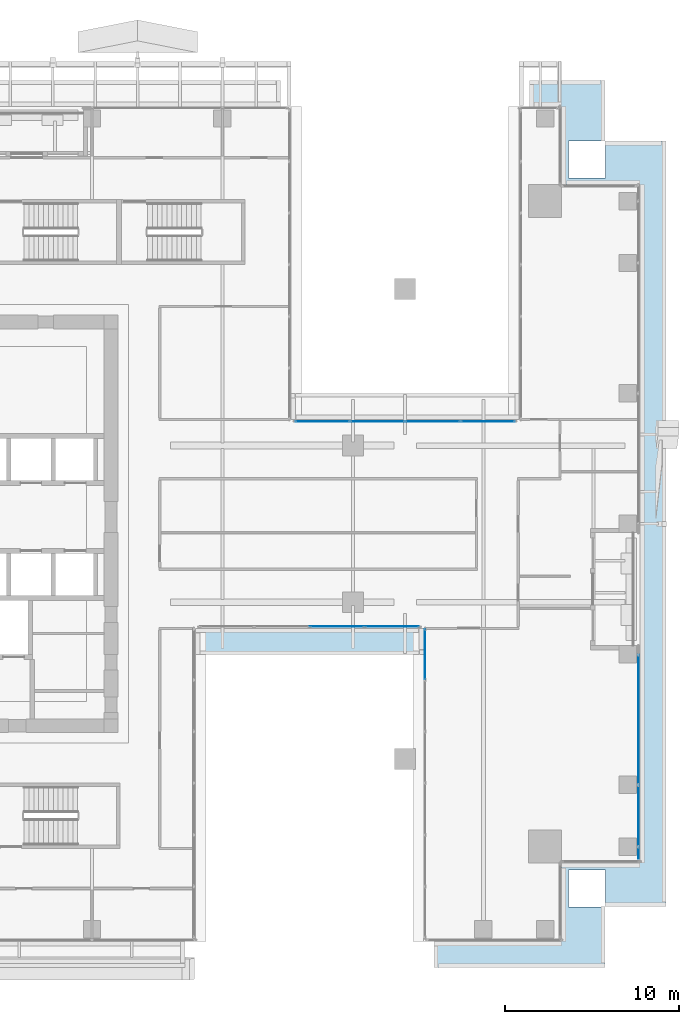
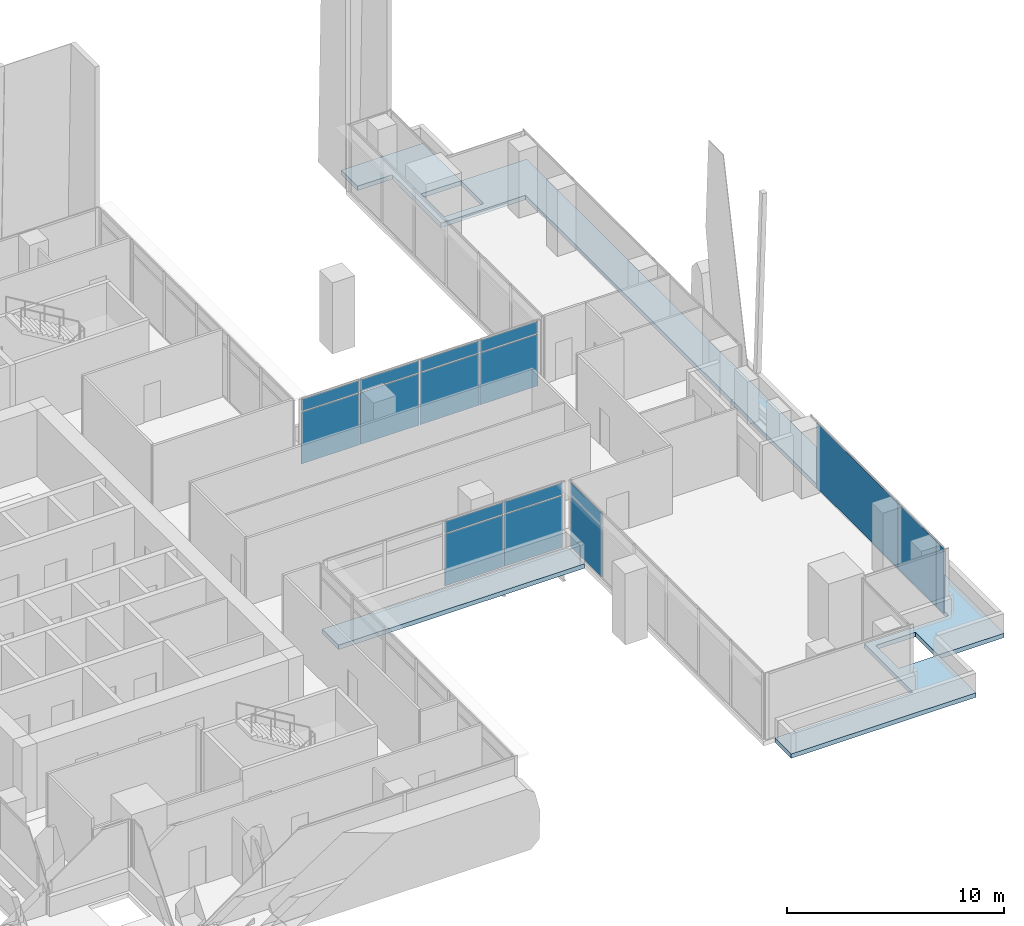
# One storey, part 30 of 43: 17 plates, 2 slabs, 4 elements without a shape of their own.
"""IFC4 building model written with IfcOpenShell, lengths in metres."""

from ifc_helpers import new_model, si_unit, direction, frame, origin, origin_2d, place, context, subcontext, project, spatial, polyline, rectangle, outline, extrude, source, transform, mapped, material, layer, layer_set, type_object, element, aggregate, save


model = new_model("IFC4")

# Units and contexts
model_context = context("Model", 3, precision=1e-05, world=origin(), true_north=direction((0.0, 1.0)))
body_context = subcontext(model_context, "Body", "Model", "MODEL_VIEW")
ifc_project = project(units=[si_unit("LENGTHUNIT", "METRE"), si_unit("AREAUNIT", "SQUARE_METRE"), si_unit("VOLUMEUNIT", "CUBIC_METRE"), si_unit("PLANEANGLEUNIT", "RADIAN"), si_unit("MASSUNIT", "GRAM", prefix="KILO")], contexts=[model_context])

# Site, building, storey
site_placement = place(None, origin())
site = spatial("IfcSite", under=ifc_project, at=site_placement, CompositionType="ELEMENT")
building_placement = place(site_placement, origin())
building = spatial("IfcBuilding", under=site, at=building_placement, Name="Khomas Fold Tower", CompositionType="ELEMENT")
storey_placement = place(building_placement, frame((0.0, 0.0, 164.699951171875)))
storey = spatial("IfcBuildingStorey", under=building, at=storey_placement, Name="L35", CompositionType="ELEMENT", Elevation=164.699951171875)

# Slabs
ifc_material_1 = material(Name="Concrete C40/50", Category="concrete")
ifc_layer_1 = layer(ifc_material_1, 0.25)
ifc_layer_set_1 = layer_set([ifc_layer_1], Name="Concrete C40/50")
slab_type = type_object("IfcSlabType", Name="RC roof slab 250", PredefinedType="ROOF", material=ifc_layer_set_1)
shared_shape_1 = source(origin(), body_context, "Body", "SweptSolid", [
    extrude(outline(polyline([(25.449951171875, 19.5), (38.550048828125, 19.5), (38.550048828125, 21.0), (25.449951171875, 21.0), (25.449951171875, 19.5)])), origin(), (0.0, 0.0, 1.0), 0.25),
])
slab_1_placement = place(storey_placement, frame((0.0, 0.0, -0.25)))
element("IfcSlab", 1, at=slab_1_placement, inside=storey, type_object=slab_type, Name="Setback roof slab", PredefinedType="ROOF", context=body_context, shape_type="MappedRepresentation", body=[
    mapped(shared_shape_1, transform((0.0, 0.0, 0.0))),
])
shared_shape_2 = source(origin(), body_context, "Body", "SweptSolid", [
    extrude(outline(polyline([(39.14990234375, 1.5), (49.0, 1.5), (49.0, 4.9951171875), (46.89501953125, 4.9951171875), (46.89501953125, 7.10498046875), (49.0048828125, 7.10498046875), (49.0048828125, 5.0), (52.5, 5.0), (52.5, 49.0), (49.0048828125, 49.0), (49.0048828125, 46.89501953125), (46.89501953125, 46.89501953125), (46.89501953125, 49.0048828125), (49.0, 49.0048828125), (49.0, 52.5), (44.64990234375, 52.5), (44.64990234375, 51.0), (46.5, 51.0), (46.5, 46.5), (51.0, 46.5), (51.0, 7.5), (46.5, 7.5), (46.5, 3.0), (39.14990234375, 3.0), (39.14990234375, 1.5)])), origin(), (0.0, 0.0, 1.0), 0.25),
])
slab_2_placement = place(storey_placement, frame((0.0, 0.0, -0.25)))
element("IfcSlab", 2, at=slab_2_placement, inside=storey, type_object=slab_type, Name="Setback roof slab", PredefinedType="ROOF", context=body_context, shape_type="MappedRepresentation", body=[
    mapped(shared_shape_2, transform((0.0, 0.0, 0.0))),
])

# Curtain wall, plates
ifc_material_2 = material(Name="Aluminium framed double glazing", Category="aluminium")
curtain_wall_type_1 = type_object("IfcCurtainWallType", Name="SK-Unitised clear-glass wall, office floors CW2", PredefinedType="NOTDEFINED", material=ifc_material_2)
curtain_wall_1_placement = place(storey_placement, origin())
curtain_wall_1 = element("IfcCurtainWall", 3, at=curtain_wall_1_placement, inside=storey, type_object=curtain_wall_type_1, Name="CW2 run L35 08-0", PredefinedType="NOTDEFINED")
ifc_material_3 = material(Name="Clear double glazed unit")
ifc_layer_2 = layer(ifc_material_3, 0.030029296875)
ifc_layer_set_2 = layer_set([ifc_layer_2], Name="Clear double glazed unit")
plate_type_1 = type_object("IfcPlateType", Name="SK-Unitised clear-glass wall, office floors glass panel CW2-P", PredefinedType="CURTAIN_PANEL", material=ifc_layer_set_2)
shared_shape_3 = source(origin(), body_context, "Body", "SweptSolid", [
    extrude(rectangle(XDim=0.659912109375, YDim=0.030029296875, at=origin_2d()), origin(), (0.0, 0.0, 1.0), 3.639892578125),
])
plate_1_placement = place(storey_placement, frame((50.89990234375, 8.090087890625, 0.0), z_axis=(0.0, 0.0, 1.0), x_axis=(0.0, 1.0, 0.0)))
plate_1 = element("IfcPlate", 4, at=plate_1_placement, type_object=plate_type_1, Name="CW2 glass panel 1", PredefinedType="CURTAIN_PANEL", context=body_context, shape_type="MappedRepresentation", body=[
    mapped(shared_shape_3, transform((0.0, 0.0, 0.0))),
])
shared_shape_4 = source(origin(), body_context, "Body", "SweptSolid", [
    extrude(rectangle(XDim=3.489990234375, YDim=0.030029296875, at=origin_2d()), origin(), (0.0, 0.0, 1.0), 3.639892578125),
])
plate_2_placement = place(storey_placement, frame((50.89990234375, 10.22509765625, 0.0), z_axis=(0.0, 0.0, 1.0), x_axis=(0.0, 1.0, 0.0)))
plate_2 = element("IfcPlate", 5, at=plate_2_placement, type_object=plate_type_1, Name="CW2 glass panel 2", PredefinedType="CURTAIN_PANEL", context=body_context, shape_type="MappedRepresentation", body=[
    mapped(shared_shape_4, transform((0.0, 0.0, 0.0))),
])
shared_shape_5 = source(origin(), body_context, "Body", "SweptSolid", [
    extrude(rectangle(XDim=7.43994140625, YDim=0.030029296875, at=origin_2d()), origin(), (0.0, 0.0, 1.0), 3.639892578125),
])
plate_3_placement = place(storey_placement, frame((50.89990234375, 15.75, 0.0), z_axis=(0.0, 0.0, 1.0), x_axis=(0.0, 1.0, 0.0)))
plate_3 = element("IfcPlate", 6, at=plate_3_placement, type_object=plate_type_1, Name="CW2 glass panel 3", PredefinedType="CURTAIN_PANEL", context=body_context, shape_type="MappedRepresentation", body=[
    mapped(shared_shape_5, transform((0.0, 0.0, 0.0))),
])
aggregate(curtain_wall_1, [plate_1, plate_2, plate_3])

ifc_material_4 = material(Name="Aluminium framed double glazing", Category="aluminium")
curtain_wall_type_2 = type_object("IfcCurtainWallType", Name="Notch glazing GN-CW", PredefinedType="NOTDEFINED", material=ifc_material_4)
curtain_wall_2_placement = place(storey_placement, origin())
curtain_wall_2 = element("IfcCurtainWall", 7, at=curtain_wall_2_placement, inside=storey, type_object=curtain_wall_type_2, Name="Notch glazing run", PredefinedType="NOTDEFINED")
ifc_material_5 = material(Name="Double glazed unit")
ifc_layer_3 = layer(ifc_material_5, 0.031982421875)
ifc_layer_set_3 = layer_set([ifc_layer_3], Name="Double glazed unit")
plate_type_2 = type_object("IfcPlateType", Name="Notch glazing panel GN-CW-P", PredefinedType="CURTAIN_PANEL", material=ifc_layer_set_3)
shared_shape_6 = source(origin(), body_context, "Body", "SweptSolid", [
    extrude(rectangle(XDim=2.876708984375, YDim=0.031982421875, at=origin_2d()), origin(), (0.0, 0.0, 1.0), 2.909912109375),
])
plate_4_placement = place(storey_placement, frame((38.64990234375, 19.501708984375, 0.06005859375), z_axis=(0.0, 0.0, 1.0), x_axis=(0.0, -1.0, 0.0)))
plate_4 = element("IfcPlate", 8, at=plate_4_placement, type_object=plate_type_2, Name="GN-CW panel 1.1", PredefinedType="CURTAIN_PANEL", context=body_context, shape_type="MappedRepresentation", body=[
    mapped(shared_shape_6, transform((0.0, 0.0, 0.0))),
])
shared_shape_7 = source(origin(), body_context, "Body", "SweptSolid", [
    extrude(rectangle(XDim=2.876708984375, YDim=0.031982421875, at=origin_2d()), origin(), (0.0, 0.0, 1.0), 0.659912109375),
])
plate_5_placement = place(storey_placement, frame((38.64990234375, 19.501708984375, 3.0302734375), z_axis=(0.0, 0.0, 1.0), x_axis=(0.0, -1.0, 0.0)))
plate_5 = element("IfcPlate", 9, at=plate_5_placement, type_object=plate_type_2, Name="GN-CW panel 1.2", PredefinedType="CURTAIN_PANEL", context=body_context, shape_type="MappedRepresentation", body=[
    mapped(shared_shape_7, transform((0.0, 0.0, 0.0))),
])
aggregate(curtain_wall_2, [plate_4, plate_5])

# Curtain wall, plate
curtain_wall_3_placement = place(storey_placement, origin())
curtain_wall_3 = element("IfcCurtainWall", 10, at=curtain_wall_3_placement, inside=storey, type_object=curtain_wall_type_2, Name="Notch glazing run", PredefinedType="NOTDEFINED")
shared_shape_8 = source(origin(), body_context, "Body", "SweptSolid", [
    extrude(rectangle(XDim=3.0849609375, YDim=0.031982421875, at=origin_2d()), origin(), (0.0, 0.0, 1.0), 2.909912109375),
])
plate_6_placement = place(storey_placement, frame((36.74755859375, 21.10009765625, 0.06005859375), z_axis=(0.0, 0.0, 1.0), x_axis=(1.0, 0.0, 0.0)))
plate_6 = element("IfcPlate", 11, at=plate_6_placement, type_object=plate_type_2, Name="GN-CW panel 4.1", PredefinedType="CURTAIN_PANEL", context=body_context, shape_type="MappedRepresentation", body=[
    mapped(shared_shape_8, transform((0.0, 0.0, 0.0))),
])

# Curtain wall, plates
curtain_wall_4_placement = place(storey_placement, origin())
curtain_wall_4 = element("IfcCurtainWall", 12, at=curtain_wall_4_placement, inside=storey, type_object=curtain_wall_type_2, Name="Notch glazing run", PredefinedType="NOTDEFINED")
plate_7_placement = place(storey_placement, frame((42.24755859375, 32.89990234375, 0.06005859375), z_axis=(0.0, 0.0, 1.0), x_axis=(-1.0, 0.0, 0.0)))
plate_7 = element("IfcPlate", 13, at=plate_7_placement, type_object=plate_type_2, Name="GN-CW panel 1.1", PredefinedType="CURTAIN_PANEL", context=body_context, shape_type="MappedRepresentation", body=[
    mapped(shared_shape_8, transform((0.0, 0.0, 0.0))),
])
plate_8_placement = place(storey_placement, frame((32.75244140625, 32.89990234375, 0.06005859375), z_axis=(0.0, 0.0, 1.0), x_axis=(-1.0, 0.0, 0.0)))
plate_8 = element("IfcPlate", 14, at=plate_8_placement, type_object=plate_type_2, Name="GN-CW panel 4.1", PredefinedType="CURTAIN_PANEL", context=body_context, shape_type="MappedRepresentation", body=[
    mapped(shared_shape_8, transform((0.0, 0.0, 0.0))),
])

# Plate
shared_shape_9 = source(origin(), body_context, "Body", "SweptSolid", [
    extrude(rectangle(XDim=3.0849609375, YDim=0.031982421875, at=origin_2d()), origin(), (0.0, 0.0, 1.0), 0.659912109375),
])
plate_9_placement = place(storey_placement, frame((36.74755859375, 21.10009765625, 3.0302734375), z_axis=(0.0, 0.0, 1.0), x_axis=(1.0, 0.0, 0.0)))
plate_9 = element("IfcPlate", 15, at=plate_9_placement, type_object=plate_type_2, Name="GN-CW panel 4.2", PredefinedType="CURTAIN_PANEL", context=body_context, shape_type="MappedRepresentation", body=[
    mapped(shared_shape_9, transform((0.0, 0.0, 0.0))),
])

plate_10_placement = place(storey_placement, frame((42.24755859375, 32.89990234375, 3.0302734375), z_axis=(0.0, 0.0, 1.0), x_axis=(-1.0, 0.0, 0.0)))
plate_10 = element("IfcPlate", 16, at=plate_10_placement, type_object=plate_type_2, Name="GN-CW panel 1.2", PredefinedType="CURTAIN_PANEL", context=body_context, shape_type="MappedRepresentation", body=[
    mapped(shared_shape_9, transform((0.0, 0.0, 0.0))),
])

plate_11_placement = place(storey_placement, frame((32.75244140625, 32.89990234375, 3.0302734375), z_axis=(0.0, 0.0, 1.0), x_axis=(-1.0, 0.0, 0.0)))
plate_11 = element("IfcPlate", 17, at=plate_11_placement, type_object=plate_type_2, Name="GN-CW panel 4.2", PredefinedType="CURTAIN_PANEL", context=body_context, shape_type="MappedRepresentation", body=[
    mapped(shared_shape_9, transform((0.0, 0.0, 0.0))),
])

shared_shape_10 = source(origin(), body_context, "Body", "SweptSolid", [
    extrude(rectangle(XDim=3.114990234375, YDim=0.031982421875, at=origin_2d()), origin(), (0.0, 0.0, 1.0), 2.909912109375),
])
plate_12_placement = place(storey_placement, frame((33.58740234375, 21.10009765625, 0.06005859375), z_axis=(0.0, 0.0, 1.0), x_axis=(1.0, 0.0, 0.0)))
plate_12 = element("IfcPlate", 18, at=plate_12_placement, type_object=plate_type_2, Name="GN-CW panel 3.1", PredefinedType="CURTAIN_PANEL", context=body_context, shape_type="MappedRepresentation", body=[
    mapped(shared_shape_10, transform((0.0, 0.0, 0.0))),
])

plate_13_placement = place(storey_placement, frame((39.08740234375, 32.89990234375, 0.06005859375), z_axis=(0.0, 0.0, 1.0), x_axis=(-1.0, 0.0, 0.0)))
plate_13 = element("IfcPlate", 19, at=plate_13_placement, type_object=plate_type_2, Name="GN-CW panel 2.1", PredefinedType="CURTAIN_PANEL", context=body_context, shape_type="MappedRepresentation", body=[
    mapped(shared_shape_10, transform((0.0, 0.0, 0.0))),
])

plate_14_placement = place(storey_placement, frame((35.91259765625, 32.89990234375, 0.06005859375), z_axis=(0.0, 0.0, 1.0), x_axis=(-1.0, 0.0, 0.0)))
plate_14 = element("IfcPlate", 20, at=plate_14_placement, type_object=plate_type_2, Name="GN-CW panel 3.1", PredefinedType="CURTAIN_PANEL", context=body_context, shape_type="MappedRepresentation", body=[
    mapped(shared_shape_10, transform((0.0, 0.0, 0.0))),
])

shared_shape_11 = source(origin(), body_context, "Body", "SweptSolid", [
    extrude(rectangle(XDim=3.114990234375, YDim=0.031982421875, at=origin_2d()), origin(), (0.0, 0.0, 1.0), 0.659912109375),
])
plate_15_placement = place(storey_placement, frame((33.58740234375, 21.10009765625, 3.0302734375), z_axis=(0.0, 0.0, 1.0), x_axis=(1.0, 0.0, 0.0)))
plate_15 = element("IfcPlate", 21, at=plate_15_placement, type_object=plate_type_2, Name="GN-CW panel 3.2", PredefinedType="CURTAIN_PANEL", context=body_context, shape_type="MappedRepresentation", body=[
    mapped(shared_shape_11, transform((0.0, 0.0, 0.0))),
])

aggregate(curtain_wall_3, [plate_12, plate_15, plate_6, plate_9])

plate_16_placement = place(storey_placement, frame((39.08740234375, 32.89990234375, 3.0302734375), z_axis=(0.0, 0.0, 1.0), x_axis=(-1.0, 0.0, 0.0)))
plate_16 = element("IfcPlate", 22, at=plate_16_placement, type_object=plate_type_2, Name="GN-CW panel 2.2", PredefinedType="CURTAIN_PANEL", context=body_context, shape_type="MappedRepresentation", body=[
    mapped(shared_shape_11, transform((0.0, 0.0, 0.0))),
])

plate_17_placement = place(storey_placement, frame((35.91259765625, 32.89990234375, 3.0302734375), z_axis=(0.0, 0.0, 1.0), x_axis=(-1.0, 0.0, 0.0)))
plate_17 = element("IfcPlate", 23, at=plate_17_placement, type_object=plate_type_2, Name="GN-CW panel 3.2", PredefinedType="CURTAIN_PANEL", context=body_context, shape_type="MappedRepresentation", body=[
    mapped(shared_shape_11, transform((0.0, 0.0, 0.0))),
])

aggregate(curtain_wall_4, [plate_7, plate_10, plate_13, plate_16, plate_14, plate_17, plate_8, plate_11])

save(model, "model.ifc")
